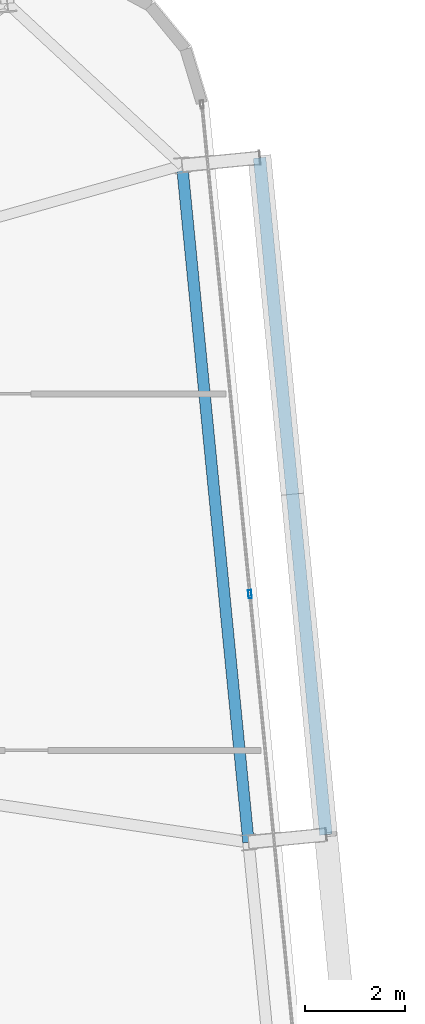
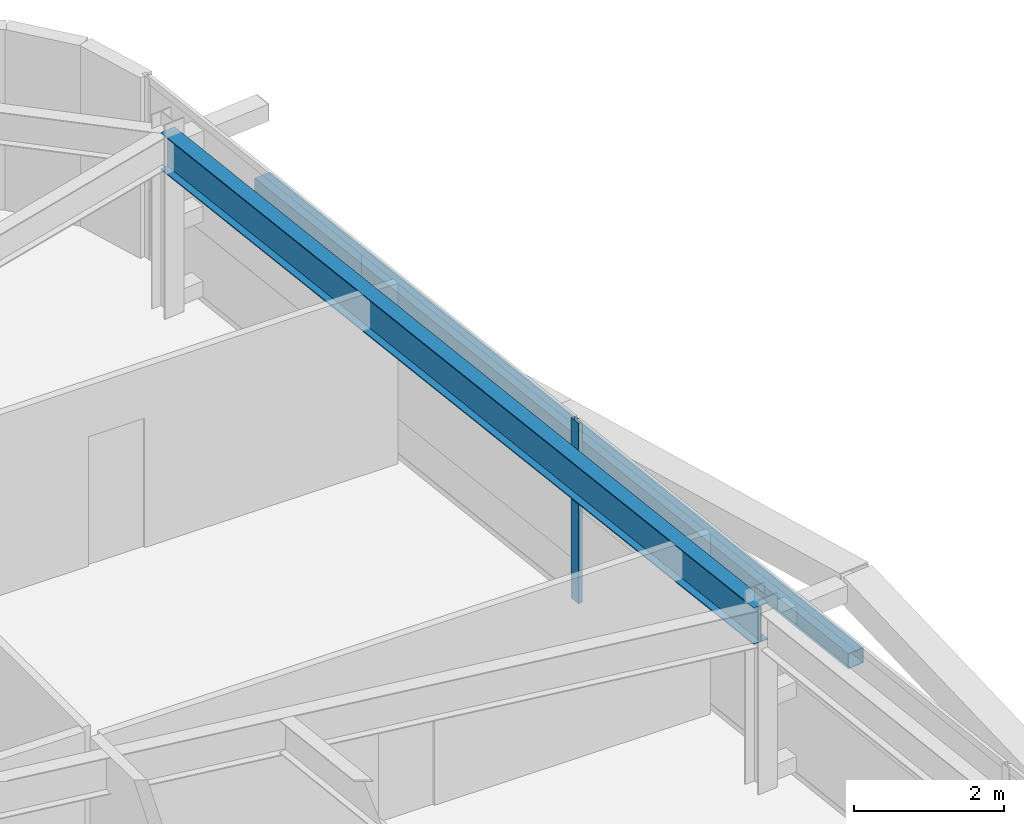
# One storey, part 23 of 47: 2 members, 1 beam, 1 element without a shape of its own.
"""IFC4 building model written with IfcOpenShell, lengths in metres."""

import ifcopenshell
import ifcopenshell.guid

model = None  # the IFC model being written
_history = None  # IfcOwnerHistory: only IFC2X3 demands one
_inside = {}  # id of a spatial element -> (the spatial element, [elements in it])
_under = {}  # id of a project, library or spatial element -> (it, [spatial elements below it])
_declared = {}  # id of a project -> (the project, [libraries it declares])
_typed = {}  # id of a type object -> (the type object, [elements of that type])
_made_of = {}  # id of a material, layer set ... -> (it, [elements and type objects made of it])


def new_model(schema):
    """Start an empty IFC model of exactly this schema.

    Asked for "IFC4X3", IfcOpenShell would pick the latest addendum, in which some entities
    have other attributes; the version numbers below select the first issue.
    IFC2X3 requires an IfcOwnerHistory on every rooted entity: one is made here for all.
    """
    global model, _history
    if schema == "IFC4X3":
        model = ifcopenshell.file(schema_version=(4, 3, 0, 0))
    else:
        model = ifcopenshell.file(schema=schema)
    _inside.clear()
    _under.clear()
    _declared.clear()
    _typed.clear()
    _made_of.clear()
    _history = None
    if model.schema == "IFC2X3":
        org = make("IfcOrganization", Name="unknown")
        user = make(
            "IfcPersonAndOrganization",
            ThePerson=make("IfcPerson", FamilyName="unknown"),
            TheOrganization=org,
        )
        app = make(
            "IfcApplication",
            ApplicationDeveloper=org,
            Version="unknown",
            ApplicationFullName="unknown",
            ApplicationIdentifier="unknown",
        )
        _history = make(
            "IfcOwnerHistory",
            OwningUser=user,
            OwningApplication=app,
            ChangeAction="ADDED",
            CreationDate=0,
        )
    return model


def make(cls, **values):
    """One entity of the class cls with the attributes given. An attribute that is None is left unset."""
    return model.create_entity(
        cls, **{name: value for name, value in values.items() if value is not None}
    )


def rooted(cls, **values):
    """An entity with a GlobalId (a new one), such as an element, a storey or a relation."""
    return make(cls, GlobalId=ifcopenshell.guid.new(), OwnerHistory=_history, **values)


def si_unit(unit_type, name, prefix=None):
    """IfcSIUnit, for example si_unit("LENGTHUNIT", "METRE", prefix="MILLI")."""
    return make("IfcSIUnit", UnitType=unit_type, Prefix=prefix, Name=name)


def assignment(units):
    """IfcUnitAssignment: the units of a project."""
    return None if units is None else make("IfcUnitAssignment", Units=units)


def point(xyz):
    """IfcCartesianPoint."""
    return None if xyz is None else make("IfcCartesianPoint", Coordinates=xyz)


def direction(xyz):
    """IfcDirection."""
    return None if xyz is None else make("IfcDirection", DirectionRatios=xyz)


def frame(location, z_axis=None, x_axis=None):
    """IfcAxis2Placement3D, a coordinate frame: its origin and axes. An axis left out is left unset."""
    return make(
        "IfcAxis2Placement3D",
        Location=point(location),
        Axis=direction(z_axis),
        RefDirection=direction(x_axis),
    )


def frame_2d(location, x_axis=None):
    """IfcAxis2Placement2D, a coordinate frame in the plane: its origin and x axis."""
    return make(
        "IfcAxis2Placement2D", Location=point(location), RefDirection=direction(x_axis)
    )


def origin():
    """The frame at (0, 0, 0) with its axes left unset."""
    return frame((0.0, 0.0, 0.0))


def origin_2d():
    """The frame at (0, 0) in the plane with its x axis left unset."""
    return frame_2d((0.0, 0.0))


def place(relative_to, where):
    """IfcLocalPlacement: puts the frame where relative to a parent placement (None: the world)."""
    return make(
        "IfcLocalPlacement", PlacementRelTo=relative_to, RelativePlacement=where
    )


def context(
    kind, dimensions, precision=None, world=None, true_north=None, identifier=None
):
    """IfcGeometricRepresentationContext, for example the 3D "Model" context."""
    return make(
        "IfcGeometricRepresentationContext",
        ContextIdentifier=identifier,
        ContextType=kind,
        CoordinateSpaceDimension=dimensions,
        Precision=precision,
        WorldCoordinateSystem=world,
        TrueNorth=true_north,
    )


def subcontext(parent, identifier, kind, view, scale=None):
    """IfcGeometricRepresentationSubContext, for example "Body" below "Model"."""
    return make(
        "IfcGeometricRepresentationSubContext",
        ContextIdentifier=identifier,
        ContextType=kind,
        ParentContext=parent,
        TargetScale=scale,
        TargetView=view,
    )


def project(units=None, contexts=None):
    """IfcProject with its units and contexts."""
    return rooted(
        "IfcProject",
        Name="project",
        RepresentationContexts=contexts,
        UnitsInContext=assignment(units),
    )


def spatial(cls, under=None, at=None, **own):
    """A site, building, storey or space (cls), placed at a placement, below another one or the project."""
    s = rooted(cls, ObjectPlacement=at, **own)
    if under is not None:
        _under.setdefault(under.id(), (under, []))[1].append(s)
    return s


def profile(cls, at=None, kind="AREA", **sizes):
    """A parametric profile (cls). Its sizes go by their IFC names, for example OverallWidth=200.0."""
    return make(cls, ProfileType=kind, Position=at, **sizes)


def hollow_rectangle(**sizes):
    """IfcRectangleHollowProfileDef."""
    return profile("IfcRectangleHollowProfileDef", **sizes)


def i_section(**sizes):
    """IfcIShapeProfileDef."""
    return profile("IfcIShapeProfileDef", **sizes)


def extrude(swept, where, along, depth):
    """IfcExtrudedAreaSolid: the profile swept, set in the frame where, extruded along a direction by depth."""
    return make(
        "IfcExtrudedAreaSolid",
        SweptArea=swept,
        Position=where,
        ExtrudedDirection=direction(along),
        Depth=depth,
    )


def shape(context_of_items, identifier, shape_type, items):
    """IfcShapeRepresentation: the items that make up one representation, for example the "Body"."""
    return make(
        "IfcShapeRepresentation",
        ContextOfItems=context_of_items,
        RepresentationIdentifier=identifier,
        RepresentationType=shape_type,
        Items=items,
    )


def source(mapping_origin, context_of_items, identifier, shape_type, items):
    """IfcRepresentationMap: a shape defined once, which mapped items show again and again."""
    return make(
        "IfcRepresentationMap",
        MappingOrigin=mapping_origin,
        MappedRepresentation=shape(context_of_items, identifier, shape_type, items),
    )


def transform(
    local_origin,
    x_axis=None,
    y_axis=None,
    z_axis=None,
    scale=None,
    scale2=None,
    scale3=None,
    uniform=True,
):
    """IfcCartesianTransformationOperator3D, or its non-uniform kind. x_axis, y_axis, z_axis: its Axis1, 2, 3."""
    if uniform:
        return make(
            "IfcCartesianTransformationOperator3D",
            Axis1=direction(x_axis),
            Axis2=direction(y_axis),
            LocalOrigin=point(local_origin),
            Scale=scale,
            Axis3=direction(z_axis),
        )
    return make(
        "IfcCartesianTransformationOperator3DnonUniform",
        Axis1=direction(x_axis),
        Axis2=direction(y_axis),
        LocalOrigin=point(local_origin),
        Scale=scale,
        Axis3=direction(z_axis),
        Scale2=scale2,
        Scale3=scale3,
    )


def mapped(mapping_source, mapping_target):
    """IfcMappedItem: shows the shape of a source again, moved by a transform."""
    return make(
        "IfcMappedItem", MappingSource=mapping_source, MappingTarget=mapping_target
    )


def material(Name=None, Category=None):
    """IfcMaterial."""
    return make("IfcMaterial", Name=Name, Category=Category)


def layer(
    of_material, thickness, ventilated=None, Name=None, Category=None, Priority=None
):
    """IfcMaterialLayer: one layer of a wall or slab, of a material (None: an air gap)."""
    return make(
        "IfcMaterialLayer",
        Material=of_material,
        LayerThickness=thickness,
        IsVentilated=ventilated,
        Name=Name,
        Category=Category,
        Priority=Priority,
    )


def layer_set(layers, Name=None):
    """IfcMaterialLayerSet."""
    return make("IfcMaterialLayerSet", MaterialLayers=layers, LayerSetName=Name)


def material_profile(
    of_material, cross_section, Name=None, Category=None, Priority=None
):
    """IfcMaterialProfile: a cross section and its material."""
    return make(
        "IfcMaterialProfile",
        Name=Name,
        Material=of_material,
        Profile=cross_section,
        Priority=Priority,
        Category=Category,
    )


def profile_set(profiles, Name=None, composite=None):
    """IfcMaterialProfileSet."""
    return make(
        "IfcMaterialProfileSet",
        Name=Name,
        MaterialProfiles=profiles,
        CompositeProfile=composite,
    )


def made_of(thing, what):
    """Note that an element or type object is made of a material, layer set ...; save() writes the relation."""
    if what is not None:
        _made_of.setdefault(what.id(), (what, []))[1].append(thing)
    return thing


def type_object(cls, material=None, **own):
    """A type object (cls), such as IfcWallType, which elements share."""
    return made_of(rooted(cls, **own), material)


def element(
    cls,
    number,
    at=None,
    inside=None,
    cuts=None,
    type_object=None,
    material=None,
    context=None,
    identifier="Body",
    shape_type=None,
    held_by="IfcProductDefinitionShape",
    body=None,
    shapes=None,
    **own,
):
    """One element of the class cls, such as IfcWall. Its Tag is "e" and its number.

    at: its placement. inside: the storey or other place that contains it. cuts: it is an
    opening in that element (IfcRelVoidsElement). A single representation is given by context,
    identifier, shape_type and body (its items); several are given by shapes. held_by: the class
    of the entity that holds the representations. save() writes the other relations.
    """
    e = rooted(cls, Tag="e%d" % number, ObjectPlacement=at, **own)
    if body is not None:
        shapes = [shape(context, identifier, shape_type, body)]
    if shapes is not None:
        e.Representation = make(held_by, Representations=shapes)
    if inside is not None:
        _inside.setdefault(inside.id(), (inside, []))[1].append(e)
    if cuts is not None:
        rooted(
            "IfcRelVoidsElement", RelatingBuildingElement=cuts, RelatedOpeningElement=e
        )
    if type_object is not None:
        _typed.setdefault(type_object.id(), (type_object, []))[1].append(e)
    return made_of(e, material)


def aggregate(whole, parts):
    """IfcRelAggregates: a whole, such as a stair, and the parts it consists of."""
    return rooted("IfcRelAggregates", RelatingObject=whole, RelatedObjects=parts)


def save(model, path):
    """Write the relations noted so far, then the file.

    IfcRelAggregates (storeys below a building ...), IfcRelContainedInSpatialStructure (elements
    in a storey), IfcRelDefinesByType, IfcRelAssociatesMaterial and IfcRelDeclares: one each for
    every whole, place, type object, material and project.
    """
    for whole, parts in _under.values():
        aggregate(whole, parts)
    for where, things in _inside.values():
        rooted(
            "IfcRelContainedInSpatialStructure",
            RelatedElements=things,
            RelatingStructure=where,
        )
    for kind, things in _typed.values():
        rooted("IfcRelDefinesByType", RelatedObjects=things, RelatingType=kind)
    for what, things in _made_of.values():
        rooted("IfcRelAssociatesMaterial", RelatedObjects=things, RelatingMaterial=what)
    for by, libraries in _declared.values():
        rooted("IfcRelDeclares", RelatingContext=by, RelatedDefinitions=libraries)
    model.write(path)


model = new_model("IFC4")

# Units and contexts
model_context = context("Model", 3, precision=1e-05, world=origin(), true_north=direction((0.0, 1.0)))
body_context = subcontext(model_context, "Body", "Model", "MODEL_VIEW")
ifc_project = project(units=[si_unit("LENGTHUNIT", "METRE"), si_unit("AREAUNIT", "SQUARE_METRE"), si_unit("VOLUMEUNIT", "CUBIC_METRE"), si_unit("PLANEANGLEUNIT", "RADIAN"), si_unit("MASSUNIT", "GRAM", prefix="KILO")], contexts=[model_context])

# Site, building, storey
site_placement = place(None, origin())
site = spatial("IfcSite", under=ifc_project, at=site_placement, CompositionType="ELEMENT")
building_placement = place(site_placement, origin())
building = spatial("IfcBuilding", under=site, at=building_placement, Name="Taldren Reach Tower", CompositionType="ELEMENT")
storey_placement = place(building_placement, frame((0.0, 0.0, 106.050048828125)))
storey = spatial("IfcBuildingStorey", under=building, at=storey_placement, Name="L32", CompositionType="ELEMENT", Elevation=106.050048828125)

# Beam
ifc_material_1 = material(Name="Steel Gr 350 (350PLUS)", Category="steel")
ifc_material_profile_1 = material_profile(ifc_material_1, i_section(OverallWidth=0.22802734375, OverallDepth=0.60205078125, WebThickness=0.010498046875, FlangeThickness=0.014892578125, at=origin_2d()), Name="610UB101")
ifc_profile_set_1 = profile_set([ifc_material_profile_1], Name="Steel Gr 350 (350PLUS)")
beam_type = type_object("IfcBeamType", Name="BM-UB610B", PredefinedType="BEAM", material=ifc_profile_set_1)
shared_shape_1 = source(origin(), body_context, "Body", "SweptSolid", [
    extrude(i_section(OverallWidth=0.22802734375, OverallDepth=0.60205078125, WebThickness=0.010498046875, FlangeThickness=0.014892578125, at=origin_2d()), origin(), (0.0, 0.0, 1.0), 13.550048828125),
])
beam_placement = place(storey_placement, frame((64.569580078125, 21.968994140625, 2.62890625), z_axis=(-0.097584021339, 0.995227290009, 0.0), x_axis=(-0.995227290009, -0.097584021339, 0.0)))
element("IfcBeam", 1, at=beam_placement, inside=storey, type_object=beam_type, Name="Perimeter gable girder B2 E2-E3 L32", PredefinedType="BEAM", context=body_context, shape_type="MappedRepresentation", body=[
    mapped(shared_shape_1, transform((0.0, 0.0, 0.0), scale=1.0)),
])

# Member
ifc_material_2 = material(Name="Steel Gr 350 (C350L0)", Category="steel")
ifc_material_profile_2 = material_profile(ifc_material_2, hollow_rectangle(XDim=0.25, YDim=0.25, WallThickness=0.010009765625, at=origin_2d()), Name="250x250x10.0SHS")
ifc_profile_set_2 = profile_set([ifc_material_profile_2], Name="Steel Gr 350 (C350L0)")
member_type_1 = type_object("IfcMemberType", Name="MB-POST250", PredefinedType="POST", material=ifc_profile_set_2)
shared_shape_2 = source(origin(), body_context, "Body", "SweptSolid", [
    extrude(hollow_rectangle(XDim=0.25, YDim=0.25, WallThickness=0.010009765625, at=origin_2d()), origin(), (0.0, 0.0, 1.0), 13.550048828125),
])
member_1_placement = place(storey_placement, frame((66.112060546875, 22.1201171875, 1.43505859375), z_axis=(-0.097584021339, 0.995227290009, 0.0), x_axis=(-0.995227290009, -0.097584021339, 0.0)))
element("IfcMember", 2, at=member_1_placement, inside=storey, type_object=member_type_1, Name="Exoskeleton mid-height ring chord B2-E2 L32", PredefinedType="POST", context=body_context, shape_type="MappedRepresentation", body=[
    mapped(shared_shape_2, transform((0.0, 0.0, 0.0), scale=1.0)),
])

# Curtain wall, member
ifc_material_3 = material(Name="Aluminium and Low-E Glass Unitised System", Category="aluminium")
ifc_layer = layer(ifc_material_3, 0.159912109375)
ifc_layer_set = layer_set([ifc_layer], Name="Aluminium and Low-E Glass Unitised System")
curtain_wall_type = type_object("IfcCurtainWallType", Name="CW-SYS-3", PredefinedType="NOTDEFINED", material=ifc_layer_set)
curtain_wall_placement = place(storey_placement, origin())
curtain_wall = element("IfcCurtainWall", 3, at=curtain_wall_placement, inside=storey, type_object=curtain_wall_type, Name="Unitised curtain wall CW-L32-E", PredefinedType="NOTDEFINED")
ifc_material_4 = material(Name="Anodised Aluminium 6063-T6", Category="aluminium")
ifc_material_profile_3 = material_profile(ifc_material_4, hollow_rectangle(XDim=0.06494140625, YDim=0.1650390625, WallThickness=0.00390625, at=origin_2d()), Name="ALU-165x65x4RHS")
ifc_profile_set_3 = profile_set([ifc_material_profile_3], Name="Anodised Aluminium 6063-T6")
member_type_2 = type_object("IfcMemberType", Name="CW-MUL-165", PredefinedType="MULLION", material=ifc_profile_set_3)
shared_shape_3 = source(origin(), body_context, "Body", "SweptSolid", [
    extrude(hollow_rectangle(XDim=0.06494140625, YDim=0.1650390625, WallThickness=0.00390625, at=origin_2d()), origin(), (0.0, 0.0, 1.0), 2.929931640625),
])
member_2_placement = place(storey_placement, frame((64.59716796875, 26.911865234375, 0.0), z_axis=(0.0, 0.0, 1.0), x_axis=(-0.99522741555, -0.09758274098, 0.0)))
member_2 = element("IfcMember", 4, at=member_2_placement, type_object=member_type_2, Name="CW-3 mullion 3", PredefinedType="MULLION", context=body_context, shape_type="MappedRepresentation", body=[
    mapped(shared_shape_3, transform((0.0, 0.0, 0.0), scale=1.0)),
])
aggregate(curtain_wall, [member_2])

save(model, "model.ifc")
